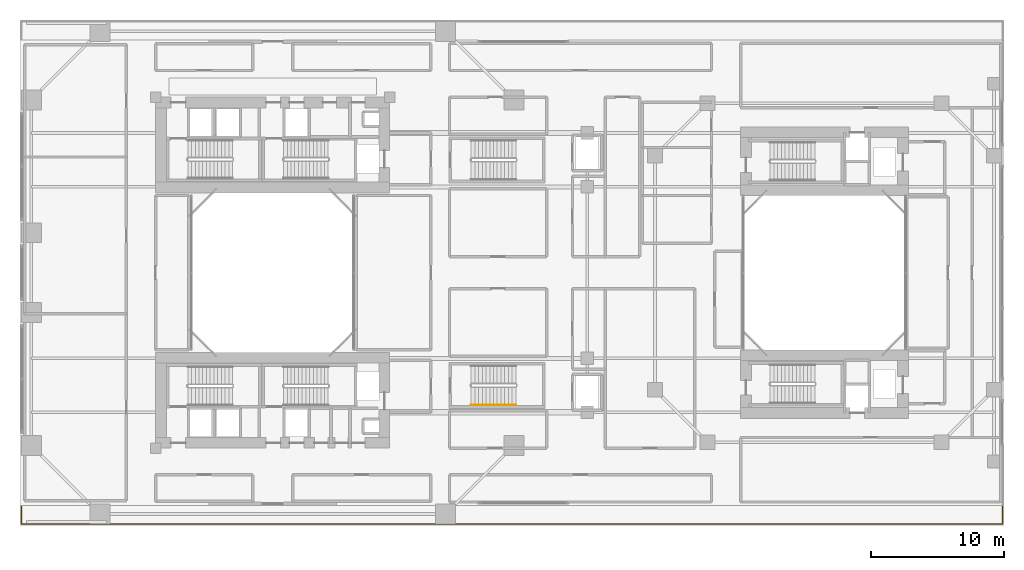
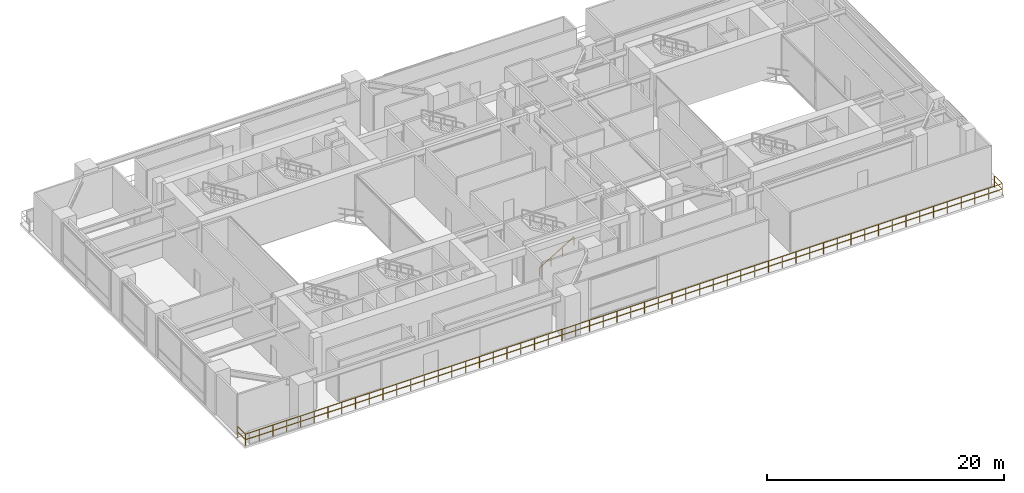
# One storey, part 18 of 20: 2 railings.
"""IFC4 building model written with IfcOpenShell, lengths in metres."""

from ifc_helpers import new_model, si_unit, direction, frame, origin, origin_2d, place, context, subcontext, project, spatial, rectangle, extrude, material, type_object, element, save


model = new_model("IFC4")

# Units and contexts
model_context = context("Model", 3, precision=1e-05, world=origin(), true_north=direction((0.0, 1.0)))
body_context = subcontext(model_context, "Body", "Model", "MODEL_VIEW")
ifc_project = project(units=[si_unit("LENGTHUNIT", "METRE"), si_unit("AREAUNIT", "SQUARE_METRE"), si_unit("VOLUMEUNIT", "CUBIC_METRE"), si_unit("PLANEANGLEUNIT", "RADIAN"), si_unit("MASSUNIT", "GRAM", prefix="KILO"), si_unit("THERMODYNAMICTEMPERATUREUNIT", "KELVIN"), si_unit("POWERUNIT", "WATT")], contexts=[model_context])

# Site, building, storey
site_placement = place(None, origin())
site = spatial("IfcSite", under=ifc_project, at=site_placement, CompositionType="ELEMENT")
building_placement = place(site_placement, origin())
building = spatial("IfcBuilding", under=site, at=building_placement, Name="Qiaomeng Ring Towers", CompositionType="ELEMENT")
storey_placement = place(building_placement, frame((0.0, 0.0, 13.800048828125)))
storey = spatial("IfcBuildingStorey", under=building, at=storey_placement, Name="L03", CompositionType="ELEMENT", Elevation=13.800048828125)

# Railings
ifc_material_1 = material(Name="Low-E pale-green laminated safety glass", Category="glass")
railing_type_1 = type_object("IfcRailingType", Name="ARC-RL-BAL1", PredefinedType="BALUSTRADE", material=ifc_material_1)
railing_1_placement = place(storey_placement, frame((0.10009765625, 5.419921875, 0.0)))
element("IfcRailing", 1, at=railing_1_placement, inside=storey, type_object=railing_type_1, Name="L03 Balustrade ARC-BAL-L03-POD-S", PredefinedType="BALUSTRADE", context=body_context, shape_type="SweptSolid", body=[
    extrude(rectangle(XDim=0.048095703125, YDim=0.048095703125, at=origin_2d()), frame((0.0, 0.0, 1.17578125), z_axis=(0.0, -1.0, 0.0), x_axis=(1.0, 0.0, 0.0)), (0.0, 0.0, 1.0), 1.31982421875),
    extrude(rectangle(XDim=0.048095703125, YDim=0.048095703125, at=origin_2d()), frame((0.0, 0.0, 0.60009765625), z_axis=(0.0, -1.0, 0.0), x_axis=(1.0, 0.0, 0.0)), (0.0, 0.0, 1.0), 1.31982421875),
    extrude(rectangle(XDim=0.048095703125, YDim=0.048095703125, at=origin_2d()), frame((0.0, -1.31982421875, 1.17578125), z_axis=(1.0, 0.0, 0.0), x_axis=(0.0, 1.0, 0.0)), (0.0, 0.0, 1.0), 73.7998046875),
    extrude(rectangle(XDim=0.048095703125, YDim=0.048095703125, at=origin_2d()), frame((0.0, -1.31982421875, 0.60009765625), z_axis=(1.0, 0.0, 0.0), x_axis=(0.0, 1.0, 0.0)), (0.0, 0.0, 1.0), 73.7998046875),
    extrude(rectangle(XDim=0.048095703125, YDim=0.048095703125, at=origin_2d()), frame((73.7998046875, -1.31982421875, 1.17578125), z_axis=(0.0, 1.0, 0.0), x_axis=(-1.0, 0.0, 0.0)), (0.0, 0.0, 1.0), 1.31982421875),
    extrude(rectangle(XDim=0.048095703125, YDim=0.048095703125, at=origin_2d()), frame((73.7998046875, -1.31982421875, 0.60009765625), z_axis=(0.0, 1.0, 0.0), x_axis=(-1.0, 0.0, 0.0)), (0.0, 0.0, 1.0), 1.31982421875),
    extrude(rectangle(XDim=0.0419921875, YDim=0.0419921875, at=origin_2d()), origin(), (0.0, 0.0, 1.0), 1.15185546875),
    extrude(rectangle(XDim=0.0419921875, YDim=0.0419921875, at=origin_2d()), frame((0.0, -1.31982421875, 0.0)), (0.0, 0.0, 1.0), 1.15185546875),
    extrude(rectangle(XDim=0.0419921875, YDim=0.0419921875, at=origin_2d()), frame((1.341796875, -1.31982421875, 0.0)), (0.0, 0.0, 1.0), 1.15185546875),
    extrude(rectangle(XDim=0.0419921875, YDim=0.0419921875, at=origin_2d()), frame((2.68359375, -1.31982421875, 0.0)), (0.0, 0.0, 1.0), 1.15185546875),
    extrude(rectangle(XDim=0.0419921875, YDim=0.0419921875, at=origin_2d()), frame((4.025390625, -1.31982421875, 0.0)), (0.0, 0.0, 1.0), 1.15185546875),
    extrude(rectangle(XDim=0.0419921875, YDim=0.0419921875, at=origin_2d()), frame((5.3671875, -1.31982421875, 0.0)), (0.0, 0.0, 1.0), 1.15185546875),
    extrude(rectangle(XDim=0.0419921875, YDim=0.0419921875, at=origin_2d()), frame((6.708984375, -1.31982421875, 0.0)), (0.0, 0.0, 1.0), 1.15185546875),
    extrude(rectangle(XDim=0.0419921875, YDim=0.0419921875, at=origin_2d()), frame((8.05078125, -1.31982421875, 0.0)), (0.0, 0.0, 1.0), 1.15185546875),
    extrude(rectangle(XDim=0.0419921875, YDim=0.0419921875, at=origin_2d()), frame((9.392822265625, -1.31982421875, 0.0)), (0.0, 0.0, 1.0), 1.15185546875),
    extrude(rectangle(XDim=0.0419921875, YDim=0.0419921875, at=origin_2d()), frame((10.734619140625, -1.31982421875, 0.0)), (0.0, 0.0, 1.0), 1.15185546875),
    extrude(rectangle(XDim=0.0419921875, YDim=0.0419921875, at=origin_2d()), frame((12.076416015625, -1.31982421875, 0.0)), (0.0, 0.0, 1.0), 1.15185546875),
    extrude(rectangle(XDim=0.0419921875, YDim=0.0419921875, at=origin_2d()), frame((13.418212890625, -1.31982421875, 0.0)), (0.0, 0.0, 1.0), 1.15185546875),
    extrude(rectangle(XDim=0.0419921875, YDim=0.0419921875, at=origin_2d()), frame((14.760009765625, -1.31982421875, 0.0)), (0.0, 0.0, 1.0), 1.15185546875),
    extrude(rectangle(XDim=0.0419921875, YDim=0.0419921875, at=origin_2d()), frame((16.101806640625, -1.31982421875, 0.0)), (0.0, 0.0, 1.0), 1.15185546875),
    extrude(rectangle(XDim=0.0419921875, YDim=0.0419921875, at=origin_2d()), frame((17.443603515625, -1.31982421875, 0.0)), (0.0, 0.0, 1.0), 1.15185546875),
    extrude(rectangle(XDim=0.0419921875, YDim=0.0419921875, at=origin_2d()), frame((18.785400390625, -1.31982421875, 0.0)), (0.0, 0.0, 1.0), 1.15185546875),
    extrude(rectangle(XDim=0.0419921875, YDim=0.0419921875, at=origin_2d()), frame((20.127197265625, -1.31982421875, 0.0)), (0.0, 0.0, 1.0), 1.15185546875),
    extrude(rectangle(XDim=0.0419921875, YDim=0.0419921875, at=origin_2d()), frame((21.468994140625, -1.31982421875, 0.0)), (0.0, 0.0, 1.0), 1.15185546875),
    extrude(rectangle(XDim=0.0419921875, YDim=0.0419921875, at=origin_2d()), frame((22.810791015625, -1.31982421875, 0.0)), (0.0, 0.0, 1.0), 1.15185546875),
    extrude(rectangle(XDim=0.0419921875, YDim=0.0419921875, at=origin_2d()), frame((24.152587890625, -1.31982421875, 0.0)), (0.0, 0.0, 1.0), 1.15185546875),
    extrude(rectangle(XDim=0.0419921875, YDim=0.0419921875, at=origin_2d()), frame((25.494384765625, -1.31982421875, 0.0)), (0.0, 0.0, 1.0), 1.15185546875),
    extrude(rectangle(XDim=0.0419921875, YDim=0.0419921875, at=origin_2d()), frame((26.836181640625, -1.31982421875, 0.0)), (0.0, 0.0, 1.0), 1.15185546875),
    extrude(rectangle(XDim=0.0419921875, YDim=0.0419921875, at=origin_2d()), frame((28.17822265625, -1.31982421875, 0.0)), (0.0, 0.0, 1.0), 1.15185546875),
    extrude(rectangle(XDim=0.0419921875, YDim=0.0419921875, at=origin_2d()), frame((29.52001953125, -1.31982421875, 0.0)), (0.0, 0.0, 1.0), 1.15185546875),
    extrude(rectangle(XDim=0.0419921875, YDim=0.0419921875, at=origin_2d()), frame((30.86181640625, -1.31982421875, 0.0)), (0.0, 0.0, 1.0), 1.15185546875),
    extrude(rectangle(XDim=0.0419921875, YDim=0.0419921875, at=origin_2d()), frame((32.20361328125, -1.31982421875, 0.0)), (0.0, 0.0, 1.0), 1.15185546875),
    extrude(rectangle(XDim=0.0419921875, YDim=0.0419921875, at=origin_2d()), frame((33.54541015625, -1.31982421875, 0.0)), (0.0, 0.0, 1.0), 1.15185546875),
    extrude(rectangle(XDim=0.0419921875, YDim=0.0419921875, at=origin_2d()), frame((34.88720703125, -1.31982421875, 0.0)), (0.0, 0.0, 1.0), 1.15185546875),
    extrude(rectangle(XDim=0.0419921875, YDim=0.0419921875, at=origin_2d()), frame((36.22900390625, -1.31982421875, 0.0)), (0.0, 0.0, 1.0), 1.15185546875),
    extrude(rectangle(XDim=0.0419921875, YDim=0.0419921875, at=origin_2d()), frame((37.57080078125, -1.31982421875, 0.0)), (0.0, 0.0, 1.0), 1.15185546875),
    extrude(rectangle(XDim=0.0419921875, YDim=0.0419921875, at=origin_2d()), frame((38.91259765625, -1.31982421875, 0.0)), (0.0, 0.0, 1.0), 1.15185546875),
    extrude(rectangle(XDim=0.0419921875, YDim=0.0419921875, at=origin_2d()), frame((40.25439453125, -1.31982421875, 0.0)), (0.0, 0.0, 1.0), 1.15185546875),
    extrude(rectangle(XDim=0.0419921875, YDim=0.0419921875, at=origin_2d()), frame((41.59619140625, -1.31982421875, 0.0)), (0.0, 0.0, 1.0), 1.15185546875),
    extrude(rectangle(XDim=0.0419921875, YDim=0.0419921875, at=origin_2d()), frame((42.93798828125, -1.31982421875, 0.0)), (0.0, 0.0, 1.0), 1.15185546875),
    extrude(rectangle(XDim=0.0419921875, YDim=0.0419921875, at=origin_2d()), frame((44.27978515625, -1.31982421875, 0.0)), (0.0, 0.0, 1.0), 1.15185546875),
    extrude(rectangle(XDim=0.0419921875, YDim=0.0419921875, at=origin_2d()), frame((45.62158203125, -1.31982421875, 0.0)), (0.0, 0.0, 1.0), 1.15185546875),
    extrude(rectangle(XDim=0.0419921875, YDim=0.0419921875, at=origin_2d()), frame((46.963623046875, -1.31982421875, 0.0)), (0.0, 0.0, 1.0), 1.15185546875),
    extrude(rectangle(XDim=0.0419921875, YDim=0.0419921875, at=origin_2d()), frame((48.305419921875, -1.31982421875, 0.0)), (0.0, 0.0, 1.0), 1.15185546875),
    extrude(rectangle(XDim=0.0419921875, YDim=0.0419921875, at=origin_2d()), frame((49.647216796875, -1.31982421875, 0.0)), (0.0, 0.0, 1.0), 1.15185546875),
    extrude(rectangle(XDim=0.0419921875, YDim=0.0419921875, at=origin_2d()), frame((50.989013671875, -1.31982421875, 0.0)), (0.0, 0.0, 1.0), 1.15185546875),
    extrude(rectangle(XDim=0.0419921875, YDim=0.0419921875, at=origin_2d()), frame((52.330810546875, -1.31982421875, 0.0)), (0.0, 0.0, 1.0), 1.15185546875),
    extrude(rectangle(XDim=0.0419921875, YDim=0.0419921875, at=origin_2d()), frame((53.672607421875, -1.31982421875, 0.0)), (0.0, 0.0, 1.0), 1.15185546875),
    extrude(rectangle(XDim=0.0419921875, YDim=0.0419921875, at=origin_2d()), frame((55.014404296875, -1.31982421875, 0.0)), (0.0, 0.0, 1.0), 1.15185546875),
    extrude(rectangle(XDim=0.0419921875, YDim=0.0419921875, at=origin_2d()), frame((56.356201171875, -1.31982421875, 0.0)), (0.0, 0.0, 1.0), 1.15185546875),
    extrude(rectangle(XDim=0.0419921875, YDim=0.0419921875, at=origin_2d()), frame((57.697998046875, -1.31982421875, 0.0)), (0.0, 0.0, 1.0), 1.15185546875),
    extrude(rectangle(XDim=0.0419921875, YDim=0.0419921875, at=origin_2d()), frame((59.039794921875, -1.31982421875, 0.0)), (0.0, 0.0, 1.0), 1.15185546875),
    extrude(rectangle(XDim=0.0419921875, YDim=0.0419921875, at=origin_2d()), frame((60.381591796875, -1.31982421875, 0.0)), (0.0, 0.0, 1.0), 1.15185546875),
    extrude(rectangle(XDim=0.0419921875, YDim=0.0419921875, at=origin_2d()), frame((61.723388671875, -1.31982421875, 0.0)), (0.0, 0.0, 1.0), 1.15185546875),
    extrude(rectangle(XDim=0.0419921875, YDim=0.0419921875, at=origin_2d()), frame((63.065185546875, -1.31982421875, 0.0)), (0.0, 0.0, 1.0), 1.15185546875),
    extrude(rectangle(XDim=0.0419921875, YDim=0.0419921875, at=origin_2d()), frame((64.406982421875, -1.31982421875, 0.0)), (0.0, 0.0, 1.0), 1.15185546875),
    extrude(rectangle(XDim=0.0419921875, YDim=0.0419921875, at=origin_2d()), frame((65.7490234375, -1.31982421875, 0.0)), (0.0, 0.0, 1.0), 1.15185546875),
    extrude(rectangle(XDim=0.0419921875, YDim=0.0419921875, at=origin_2d()), frame((67.0908203125, -1.31982421875, 0.0)), (0.0, 0.0, 1.0), 1.15185546875),
    extrude(rectangle(XDim=0.0419921875, YDim=0.0419921875, at=origin_2d()), frame((68.4326171875, -1.31982421875, 0.0)), (0.0, 0.0, 1.0), 1.15185546875),
    extrude(rectangle(XDim=0.0419921875, YDim=0.0419921875, at=origin_2d()), frame((69.7744140625, -1.31982421875, 0.0)), (0.0, 0.0, 1.0), 1.15185546875),
    extrude(rectangle(XDim=0.0419921875, YDim=0.0419921875, at=origin_2d()), frame((71.1162109375, -1.31982421875, 0.0)), (0.0, 0.0, 1.0), 1.15185546875),
    extrude(rectangle(XDim=0.0419921875, YDim=0.0419921875, at=origin_2d()), frame((72.4580078125, -1.31982421875, 0.0)), (0.0, 0.0, 1.0), 1.15185546875),
    extrude(rectangle(XDim=0.0419921875, YDim=0.0419921875, at=origin_2d()), frame((73.7998046875, -1.31982421875, 0.0)), (0.0, 0.0, 1.0), 1.15185546875),
    extrude(rectangle(XDim=0.0419921875, YDim=0.0419921875, at=origin_2d()), frame((73.7998046875, 0.0, 0.0)), (0.0, 0.0, 1.0), 1.15185546875),
])
ifc_material_2 = material(Name="Stainless steel 316", Category="steel")
railing_type_2 = type_object("IfcRailingType", Name="ARC-RL-HAND", PredefinedType="HANDRAIL", material=ifc_material_2)
railing_2_placement = place(storey_placement, frame((33.929931640625, 13.050048828125, 0.169189453125)))
element("IfcRailing", 2, at=railing_2_placement, inside=storey, type_object=railing_type_2, Name="L03 ST8 stair handrail 1", PredefinedType="HANDRAIL", context=body_context, shape_type="SweptSolid", body=[
    extrude(rectangle(XDim=0.048095703125, YDim=0.048095703125, at=origin_2d()), frame((0.0, 0.0, 0.8759765625), z_axis=(0.855836976705, 0.0, 0.517245656632), x_axis=(0.0, 1.0, 0.0)), (0.0, 0.0, 1.0), 3.926025390625),
    extrude(rectangle(XDim=0.0419921875, YDim=0.0419921875, at=origin_2d()), origin(), (0.0, 0.0, 1.0), 0.851806640625),
    extrude(rectangle(XDim=0.0419921875, YDim=0.0419921875, at=origin_2d()), frame((1.1201171875, 0.0, 0.677001953125)), (0.0, 0.0, 1.0), 0.851806640625),
    extrude(rectangle(XDim=0.0419921875, YDim=0.0419921875, at=origin_2d()), frame((2.239990234375, 0.0, 1.353759765625)), (0.0, 0.0, 1.0), 0.851806640625),
    extrude(rectangle(XDim=0.0419921875, YDim=0.0419921875, at=origin_2d()), frame((3.360107421875, 0.0, 2.03076171875)), (0.0, 0.0, 1.0), 0.851806640625),
])

save(model, "model.ifc")
